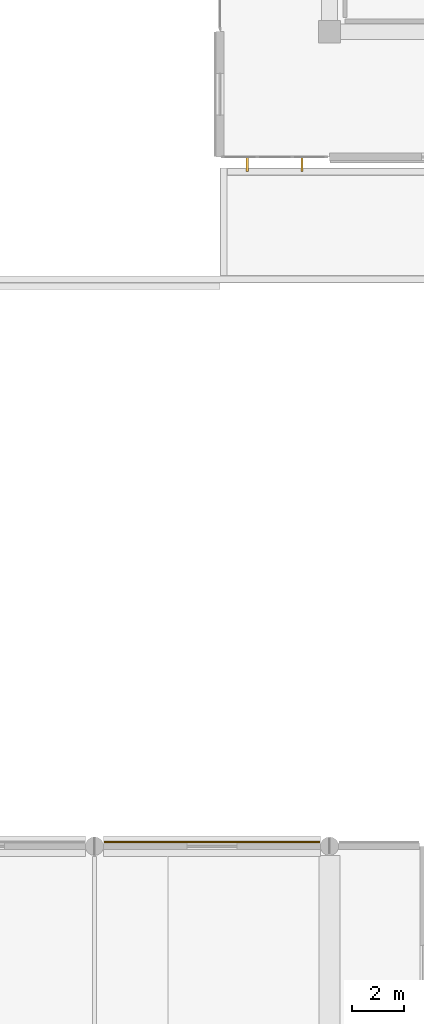
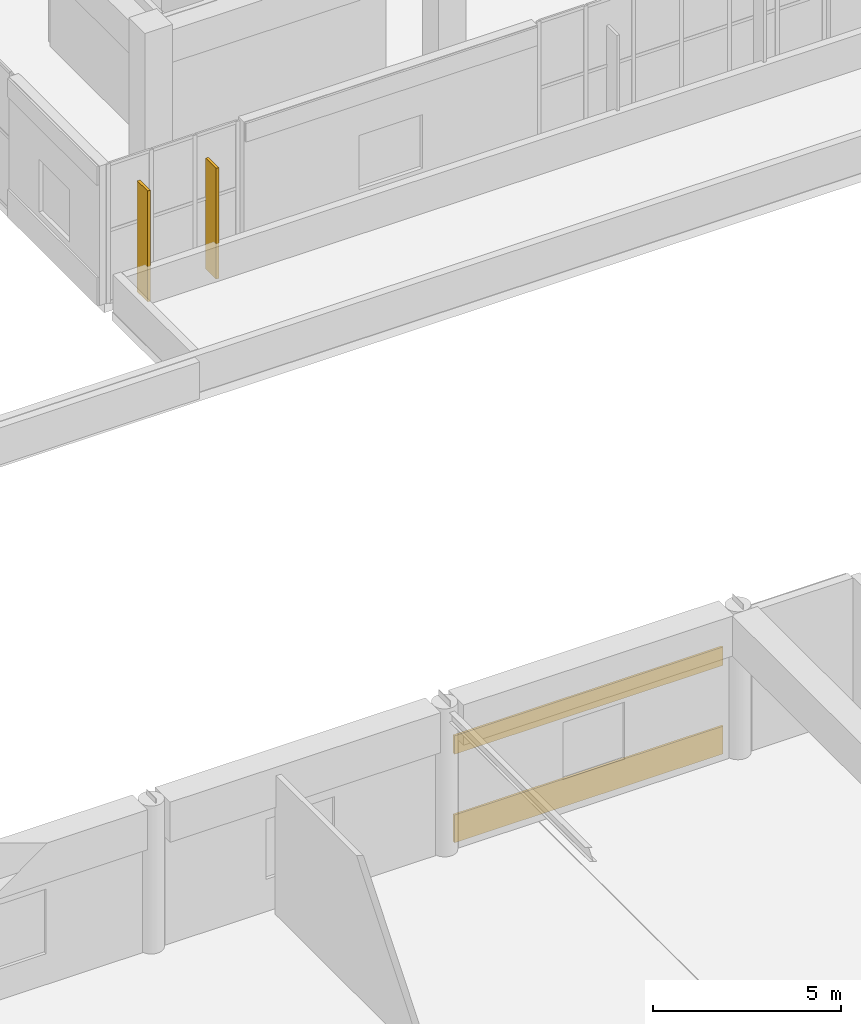
# One storey, part 60 of 67: 2 coverings, 2 shading devices.
"""IFC4 building model written with IfcOpenShell, lengths in metres."""

import ifcopenshell
import ifcopenshell.guid

model = None  # the IFC model being written
_history = None  # IfcOwnerHistory: only IFC2X3 demands one
_inside = {}  # id of a spatial element -> (the spatial element, [elements in it])
_under = {}  # id of a project, library or spatial element -> (it, [spatial elements below it])
_declared = {}  # id of a project -> (the project, [libraries it declares])
_typed = {}  # id of a type object -> (the type object, [elements of that type])
_made_of = {}  # id of a material, layer set ... -> (it, [elements and type objects made of it])


def new_model(schema):
    """Start an empty IFC model of exactly this schema.

    Asked for "IFC4X3", IfcOpenShell would pick the latest addendum, in which some entities
    have other attributes; the version numbers below select the first issue.
    IFC2X3 requires an IfcOwnerHistory on every rooted entity: one is made here for all.
    """
    global model, _history
    if schema == "IFC4X3":
        model = ifcopenshell.file(schema_version=(4, 3, 0, 0))
    else:
        model = ifcopenshell.file(schema=schema)
    _inside.clear()
    _under.clear()
    _declared.clear()
    _typed.clear()
    _made_of.clear()
    _history = None
    if model.schema == "IFC2X3":
        org = make("IfcOrganization", Name="unknown")
        user = make(
            "IfcPersonAndOrganization",
            ThePerson=make("IfcPerson", FamilyName="unknown"),
            TheOrganization=org,
        )
        app = make(
            "IfcApplication",
            ApplicationDeveloper=org,
            Version="unknown",
            ApplicationFullName="unknown",
            ApplicationIdentifier="unknown",
        )
        _history = make(
            "IfcOwnerHistory",
            OwningUser=user,
            OwningApplication=app,
            ChangeAction="ADDED",
            CreationDate=0,
        )
    return model


def make(cls, **values):
    """One entity of the class cls with the attributes given. An attribute that is None is left unset."""
    return model.create_entity(
        cls, **{name: value for name, value in values.items() if value is not None}
    )


def rooted(cls, **values):
    """An entity with a GlobalId (a new one), such as an element, a storey or a relation."""
    return make(cls, GlobalId=ifcopenshell.guid.new(), OwnerHistory=_history, **values)


def si_unit(unit_type, name, prefix=None):
    """IfcSIUnit, for example si_unit("LENGTHUNIT", "METRE", prefix="MILLI")."""
    return make("IfcSIUnit", UnitType=unit_type, Prefix=prefix, Name=name)


def assignment(units):
    """IfcUnitAssignment: the units of a project."""
    return None if units is None else make("IfcUnitAssignment", Units=units)


def point(xyz):
    """IfcCartesianPoint."""
    return None if xyz is None else make("IfcCartesianPoint", Coordinates=xyz)


def direction(xyz):
    """IfcDirection."""
    return None if xyz is None else make("IfcDirection", DirectionRatios=xyz)


def frame(location, z_axis=None, x_axis=None):
    """IfcAxis2Placement3D, a coordinate frame: its origin and axes. An axis left out is left unset."""
    return make(
        "IfcAxis2Placement3D",
        Location=point(location),
        Axis=direction(z_axis),
        RefDirection=direction(x_axis),
    )


def frame_2d(location, x_axis=None):
    """IfcAxis2Placement2D, a coordinate frame in the plane: its origin and x axis."""
    return make(
        "IfcAxis2Placement2D", Location=point(location), RefDirection=direction(x_axis)
    )


def origin():
    """The frame at (0, 0, 0) with its axes left unset."""
    return frame((0.0, 0.0, 0.0))


def origin_2d():
    """The frame at (0, 0) in the plane with its x axis left unset."""
    return frame_2d((0.0, 0.0))


def place(relative_to, where):
    """IfcLocalPlacement: puts the frame where relative to a parent placement (None: the world)."""
    return make(
        "IfcLocalPlacement", PlacementRelTo=relative_to, RelativePlacement=where
    )


def context(
    kind, dimensions, precision=None, world=None, true_north=None, identifier=None
):
    """IfcGeometricRepresentationContext, for example the 3D "Model" context."""
    return make(
        "IfcGeometricRepresentationContext",
        ContextIdentifier=identifier,
        ContextType=kind,
        CoordinateSpaceDimension=dimensions,
        Precision=precision,
        WorldCoordinateSystem=world,
        TrueNorth=true_north,
    )


def subcontext(parent, identifier, kind, view, scale=None):
    """IfcGeometricRepresentationSubContext, for example "Body" below "Model"."""
    return make(
        "IfcGeometricRepresentationSubContext",
        ContextIdentifier=identifier,
        ContextType=kind,
        ParentContext=parent,
        TargetScale=scale,
        TargetView=view,
    )


def project(units=None, contexts=None):
    """IfcProject with its units and contexts."""
    return rooted(
        "IfcProject",
        Name="project",
        RepresentationContexts=contexts,
        UnitsInContext=assignment(units),
    )


def spatial(cls, under=None, at=None, **own):
    """A site, building, storey or space (cls), placed at a placement, below another one or the project."""
    s = rooted(cls, ObjectPlacement=at, **own)
    if under is not None:
        _under.setdefault(under.id(), (under, []))[1].append(s)
    return s


def profile(cls, at=None, kind="AREA", **sizes):
    """A parametric profile (cls). Its sizes go by their IFC names, for example OverallWidth=200.0."""
    return make(cls, ProfileType=kind, Position=at, **sizes)


def rectangle(**sizes):
    """IfcRectangleProfileDef."""
    return profile("IfcRectangleProfileDef", **sizes)


def extrude(swept, where, along, depth):
    """IfcExtrudedAreaSolid: the profile swept, set in the frame where, extruded along a direction by depth."""
    return make(
        "IfcExtrudedAreaSolid",
        SweptArea=swept,
        Position=where,
        ExtrudedDirection=direction(along),
        Depth=depth,
    )


def shape(context_of_items, identifier, shape_type, items):
    """IfcShapeRepresentation: the items that make up one representation, for example the "Body"."""
    return make(
        "IfcShapeRepresentation",
        ContextOfItems=context_of_items,
        RepresentationIdentifier=identifier,
        RepresentationType=shape_type,
        Items=items,
    )


def material(Name=None, Category=None):
    """IfcMaterial."""
    return make("IfcMaterial", Name=Name, Category=Category)


def layer(
    of_material, thickness, ventilated=None, Name=None, Category=None, Priority=None
):
    """IfcMaterialLayer: one layer of a wall or slab, of a material (None: an air gap)."""
    return make(
        "IfcMaterialLayer",
        Material=of_material,
        LayerThickness=thickness,
        IsVentilated=ventilated,
        Name=Name,
        Category=Category,
        Priority=Priority,
    )


def layer_set(layers, Name=None):
    """IfcMaterialLayerSet."""
    return make("IfcMaterialLayerSet", MaterialLayers=layers, LayerSetName=Name)


def made_of(thing, what):
    """Note that an element or type object is made of a material, layer set ...; save() writes the relation."""
    if what is not None:
        _made_of.setdefault(what.id(), (what, []))[1].append(thing)
    return thing


def type_object(cls, material=None, **own):
    """A type object (cls), such as IfcWallType, which elements share."""
    return made_of(rooted(cls, **own), material)


def element(
    cls,
    number,
    at=None,
    inside=None,
    cuts=None,
    type_object=None,
    material=None,
    context=None,
    identifier="Body",
    shape_type=None,
    held_by="IfcProductDefinitionShape",
    body=None,
    shapes=None,
    **own,
):
    """One element of the class cls, such as IfcWall. Its Tag is "e" and its number.

    at: its placement. inside: the storey or other place that contains it. cuts: it is an
    opening in that element (IfcRelVoidsElement). A single representation is given by context,
    identifier, shape_type and body (its items); several are given by shapes. held_by: the class
    of the entity that holds the representations. save() writes the other relations.
    """
    e = rooted(cls, Tag="e%d" % number, ObjectPlacement=at, **own)
    if body is not None:
        shapes = [shape(context, identifier, shape_type, body)]
    if shapes is not None:
        e.Representation = make(held_by, Representations=shapes)
    if inside is not None:
        _inside.setdefault(inside.id(), (inside, []))[1].append(e)
    if cuts is not None:
        rooted(
            "IfcRelVoidsElement", RelatingBuildingElement=cuts, RelatedOpeningElement=e
        )
    if type_object is not None:
        _typed.setdefault(type_object.id(), (type_object, []))[1].append(e)
    return made_of(e, material)


def aggregate(whole, parts):
    """IfcRelAggregates: a whole, such as a stair, and the parts it consists of."""
    return rooted("IfcRelAggregates", RelatingObject=whole, RelatedObjects=parts)


def save(model, path):
    """Write the relations noted so far, then the file.

    IfcRelAggregates (storeys below a building ...), IfcRelContainedInSpatialStructure (elements
    in a storey), IfcRelDefinesByType, IfcRelAssociatesMaterial and IfcRelDeclares: one each for
    every whole, place, type object, material and project.
    """
    for whole, parts in _under.values():
        aggregate(whole, parts)
    for where, things in _inside.values():
        rooted(
            "IfcRelContainedInSpatialStructure",
            RelatedElements=things,
            RelatingStructure=where,
        )
    for kind, things in _typed.values():
        rooted("IfcRelDefinesByType", RelatedObjects=things, RelatingType=kind)
    for what, things in _made_of.values():
        rooted("IfcRelAssociatesMaterial", RelatedObjects=things, RelatingMaterial=what)
    for by, libraries in _declared.values():
        rooted("IfcRelDeclares", RelatingContext=by, RelatedDefinitions=libraries)
    model.write(path)


model = new_model("IFC4")

# Units and contexts
model_context = context("Model", 3, precision=1e-05, world=origin(), true_north=direction((0.0, 1.0)))
body_context = subcontext(model_context, "Body", "Model", "MODEL_VIEW")
ifc_project = project(units=[si_unit("LENGTHUNIT", "METRE"), si_unit("AREAUNIT", "SQUARE_METRE"), si_unit("VOLUMEUNIT", "CUBIC_METRE"), si_unit("PLANEANGLEUNIT", "RADIAN"), si_unit("MASSUNIT", "GRAM", prefix="KILO")], contexts=[model_context])

# Site, building, storey
site_placement = place(None, origin())
site = spatial("IfcSite", under=ifc_project, at=site_placement, CompositionType="ELEMENT")
building_placement = place(site_placement, origin())
building = spatial("IfcBuilding", under=site, at=building_placement, Name="Cendralis Terraced Arcade", CompositionType="ELEMENT")
storey_placement = place(building_placement, frame((0.0, 0.0, 15.0)))
storey = spatial("IfcBuildingStorey", under=building, at=storey_placement, Name="L03", CompositionType="ELEMENT", Elevation=15.0)

# Coverings
ifc_material_1 = material(Name="Precast concrete f'c 40 MPa", Category="concrete")
ifc_layer = layer(ifc_material_1, 0.06494140625, Name="COV-CLAD-GRC-65")
ifc_layer_set = layer_set([ifc_layer], Name="Precast concrete f'c 40 MPa")
covering_type = type_object("IfcCoveringType", Name="COV-CLAD-GRC-65", PredefinedType="CLADDING", material=ifc_layer_set)
covering_1_placement = place(storey_placement, frame((125.699951171875, 38.5625, 0.0), z_axis=(0.0, 0.0, 1.0), x_axis=(1.0, 0.0, 0.0)))
element("IfcCovering", 1, at=covering_1_placement, inside=storey, type_object=covering_type, Name="Banded Precast Stone Spandrel Cladding L03-379", PredefinedType="CLADDING", context=body_context, shape_type="SweptSolid", body=[
    extrude(rectangle(XDim=8.243896484375, YDim=0.06494140625, at=origin_2d()), origin(), (0.0, 0.0, 1.0), 0.89990234375),
])
covering_2_placement = place(storey_placement, frame((125.699951171875, 38.5625, 2.869873046875), z_axis=(0.0, 0.0, 1.0), x_axis=(1.0, 0.0, 0.0)))
element("IfcCovering", 2, at=covering_2_placement, inside=storey, type_object=covering_type, Name="Banded Precast Stone Lintel Cladding L03-380", PredefinedType="CLADDING", context=body_context, shape_type="SweptSolid", body=[
    extrude(rectangle(XDim=8.243896484375, YDim=0.06494140625, at=origin_2d()), origin(), (0.0, 0.0, 1.0), 0.60009765625),
])

# Shading devices
ifc_material_2 = material(Name="Anodised aluminium EN AW-6063 T6", Category="aluminium")
shading_device_type = type_object("IfcShadingDeviceType", Name="SHD-FIN-550", PredefinedType="USERDEFINED", material=ifc_material_2)
for number, where, z_axis, x_axis, name in (
    (3, (129.14990234375, 64.52001953125, 0.050048828125), (0.0, 0.0, 1.0), (-1.0, 0.0, 0.0), "Parametric Vertical Solar Fin FIN-L03-097"),
    (4, (127.050048828125, 64.52001953125, 0.050048828125), (0.0, 0.0, 1.0), (-1.0, 0.0, 0.0), "Parametric Vertical Solar Fin FIN-L03-098"),
):
    element("IfcShadingDevice", number, at=place(storey_placement, frame(where, z_axis=z_axis, x_axis=x_axis)), inside=storey, type_object=shading_device_type, Name=name, ObjectType="FIN", PredefinedType="USERDEFINED", context=body_context, shape_type="SweptSolid", body=[
        extrude(rectangle(XDim=0.0849609375, YDim=0.550048828125, at=origin_2d()), origin(), (0.0, 0.0, 1.0), 3.60009765625),
    ])

save(model, "model.ifc")
